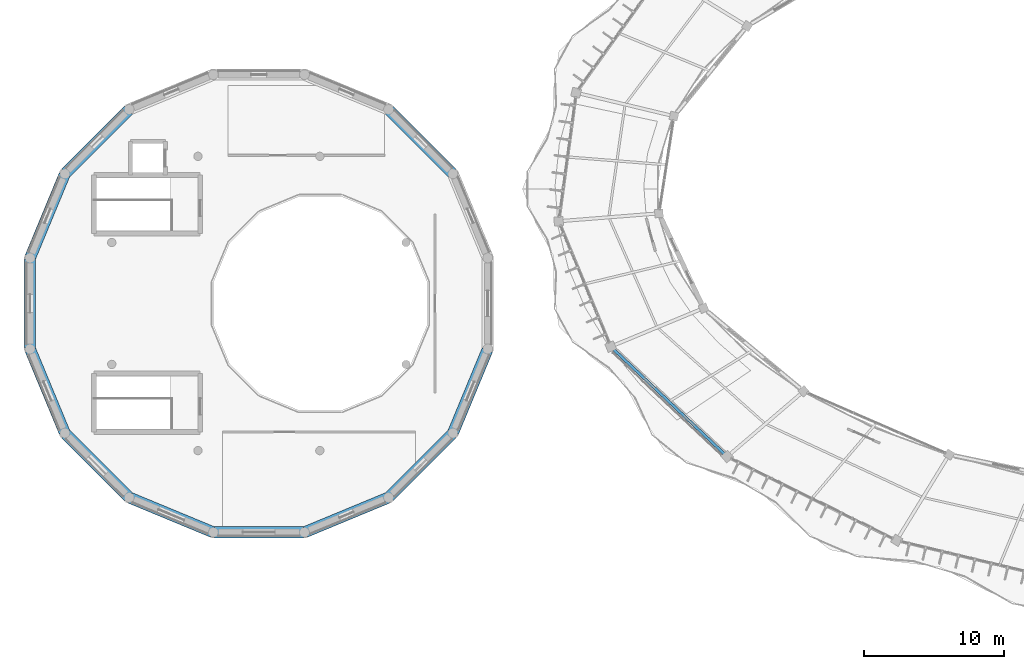
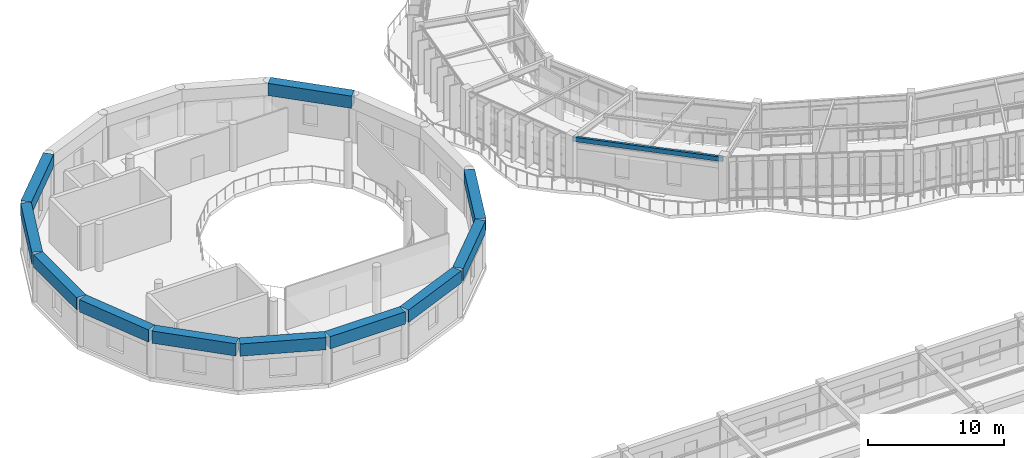
# One storey, part 28 of 114: 12 beams.
"""IFC4 building model written with IfcOpenShell, lengths in metres."""

from ifc_helpers import new_model, si_unit, direction, frame, origin, origin_2d, place, context, subcontext, project, spatial, rectangle, hollow_rectangle, extrude, material, material_profile, profile_set, type_object, element, save


model = new_model("IFC4")

# Units and contexts
model_context = context("Model", 3, precision=1e-05, world=origin(), true_north=direction((0.0, 1.0)))
body_context = subcontext(model_context, "Body", "Model", "MODEL_VIEW")
ifc_project = project(units=[si_unit("LENGTHUNIT", "METRE"), si_unit("AREAUNIT", "SQUARE_METRE"), si_unit("VOLUMEUNIT", "CUBIC_METRE"), si_unit("PLANEANGLEUNIT", "RADIAN"), si_unit("MASSUNIT", "GRAM", prefix="KILO"), si_unit("THERMODYNAMICTEMPERATUREUNIT", "KELVIN"), si_unit("POWERUNIT", "WATT")], contexts=[model_context])

# Site, building, storey
site_placement = place(None, origin())
site = spatial("IfcSite", under=ifc_project, at=site_placement, CompositionType="ELEMENT")
building_placement = place(site_placement, origin())
building = spatial("IfcBuilding", under=site, at=building_placement, Name="Darbajah Civic Hall", CompositionType="ELEMENT")
storey_placement = place(building_placement, frame((0.0, 0.0, 13.800048828125)))
storey = spatial("IfcBuildingStorey", under=building, at=storey_placement, Name="L03", CompositionType="ELEMENT", Elevation=13.800048828125)

# Beams
ifc_material_1 = material(Name="Concrete C50/60", Category="concrete")
ifc_material_profile_1 = material_profile(ifc_material_1, rectangle(XDim=0.800048828125, YDim=1.10009765625, at=origin_2d()), Name="RC RING 800x1100")
ifc_profile_set_1 = profile_set([ifc_material_profile_1], Name="Concrete C50/60")
beam_type_1 = type_object("IfcBeamType", Name="RC RING 800x1100", PredefinedType="BEAM", material=ifc_profile_set_1)
for number, where, z_axis, x_axis, name in (
    (1, (30.629638671875, 90.93505859375, 3.64990234375), (-0.707106781187, 0.707106781187, 0.0), (-0.707106781187, -0.707106781187, 0.0), "Dome Base Ring Beam segment 2"),
    (2, (7.46484375, 95.4296875, 3.64990234375), (-0.707106781187, -0.707106781187, 0.0), (0.707106781187, -0.707106781187, 0.0), "Dome Base Ring Beam segment 6"),
    (3, (2.883056640625, 90.8046875, 3.64990234375), (-0.382667268836, -0.923886227499, 0.0), (0.923886227499, -0.382667268836, 0.0), "Dome Base Ring Beam segment 7"),
    (4, (0.419921875, 84.7783203125, 3.64990234375), (0.0, -1.0, 0.0), (1.0, 0.0, 0.0), "Dome Base Ring Beam segment 8"),
):
    element("IfcBeam", number, at=place(storey_placement, frame(where, z_axis=z_axis, x_axis=x_axis)), inside=storey, type_object=beam_type_1, Name=name, PredefinedType="BEAM", context=body_context, shape_type="SweptSolid", body=[
        extrude(rectangle(XDim=0.800048828125, YDim=1.10009765625, at=origin_2d()), origin(), (0.0, 0.0, 1.0), 6.3564453125),
    ])
beam_1_placement = place(storey_placement, frame((0.45068359375, 78.267822265625, 3.64990234375), z_axis=(0.382680848376, -0.92388060283, 0.0), x_axis=(0.92388060283, 0.382680848376, 0.0)))
element("IfcBeam", 5, at=beam_1_placement, inside=storey, type_object=beam_type_1, Name="Dome Base Ring Beam segment 9", PredefinedType="BEAM", context=body_context, shape_type="SweptSolid", body=[
    extrude(rectangle(XDim=0.800048828125, YDim=1.10009765625, at=origin_2d()), origin(), (0.0, 0.0, 1.0), 6.356201171875),
])
for number, where, z_axis, x_axis, name in (
    (6, (2.97021484375, 72.264892578125, 3.64990234375), (0.707106781187, -0.707106781187, 0.0), (0.707106781187, 0.707106781187, 0.0), "Dome Base Ring Beam segment 10"),
    (7, (7.595458984375, 67.68310546875, 3.64990234375), (0.923872648016, -0.382700052583, 0.0), (0.382700052583, 0.923872648016, 0.0), "Dome Base Ring Beam segment 11"),
    (8, (13.621826171875, 65.219970703125, 3.64990234375), (1.0, 0.0, 0.0), (0.0, 1.0, 0.0), "Dome Base Ring Beam segment 12"),
    (9, (20.132080078125, 65.25048828125, 3.64990234375), (0.923872648016, 0.382700052583, 0.0), (-0.382700052583, 0.923872648016, 0.0), "Dome Base Ring Beam segment 13"),
    (10, (26.135009765625, 67.770263671875, 3.64990234375), (0.707106781187, 0.707106781187, 0.0), (-0.707106781187, 0.707106781187, 0.0), "Dome Base Ring Beam segment 14"),
):
    element("IfcBeam", number, at=place(storey_placement, frame(where, z_axis=z_axis, x_axis=x_axis)), inside=storey, type_object=beam_type_1, Name=name, PredefinedType="BEAM", context=body_context, shape_type="SweptSolid", body=[
        extrude(rectangle(XDim=0.800048828125, YDim=1.10009765625, at=origin_2d()), origin(), (0.0, 0.0, 1.0), 6.3564453125),
    ])
beam_2_placement = place(storey_placement, frame((30.716796875, 72.3955078125, 3.64990234375), z_axis=(0.382713632888, 0.923867022467, 0.0), x_axis=(-0.923867022467, 0.382713632888, 0.0)))
element("IfcBeam", 11, at=beam_2_placement, inside=storey, type_object=beam_type_1, Name="Dome Base Ring Beam segment 15", PredefinedType="BEAM", context=body_context, shape_type="SweptSolid", body=[
    extrude(rectangle(XDim=0.800048828125, YDim=1.10009765625, at=origin_2d()), origin(), (0.0, 0.0, 1.0), 6.356201171875),
])
ifc_material_2 = material(Name="Steel S355JR", Category="steel")
ifc_material_profile_2 = material_profile(ifc_material_2, hollow_rectangle(XDim=0.199951171875, YDim=0.39990234375, WallThickness=0.013916015625, at=origin_2d()), Name="RHS 400x200x14")
ifc_profile_set_2 = profile_set([ifc_material_profile_2], Name="Steel S355JR")
beam_type_2 = type_object("IfcBeamType", Name="RHS 400x200x14", PredefinedType="SPANDREL", material=ifc_profile_set_2)
beam_3_placement = place(storey_placement, frame((42.040283203125, 78.455810546875, 3.719970703125), z_axis=(0.727210771045, -0.686414229512, 0.0), x_axis=(0.686414229512, 0.727210771045, 0.0)))
element("IfcBeam", 12, at=beam_3_placement, inside=storey, type_object=beam_type_2, Name="L03 beam SP-RHS400", PredefinedType="SPANDREL", context=body_context, shape_type="SweptSolid", body=[
    extrude(hollow_rectangle(XDim=0.199951171875, YDim=0.39990234375, WallThickness=0.013916015625, at=origin_2d()), origin(), (0.0, 0.0, 1.0), 11.304443359375),
])

save(model, "model.ifc")
